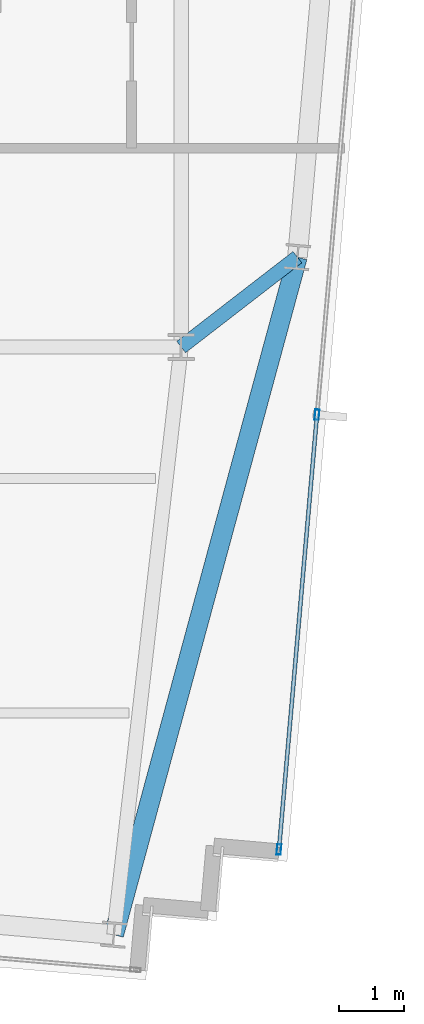
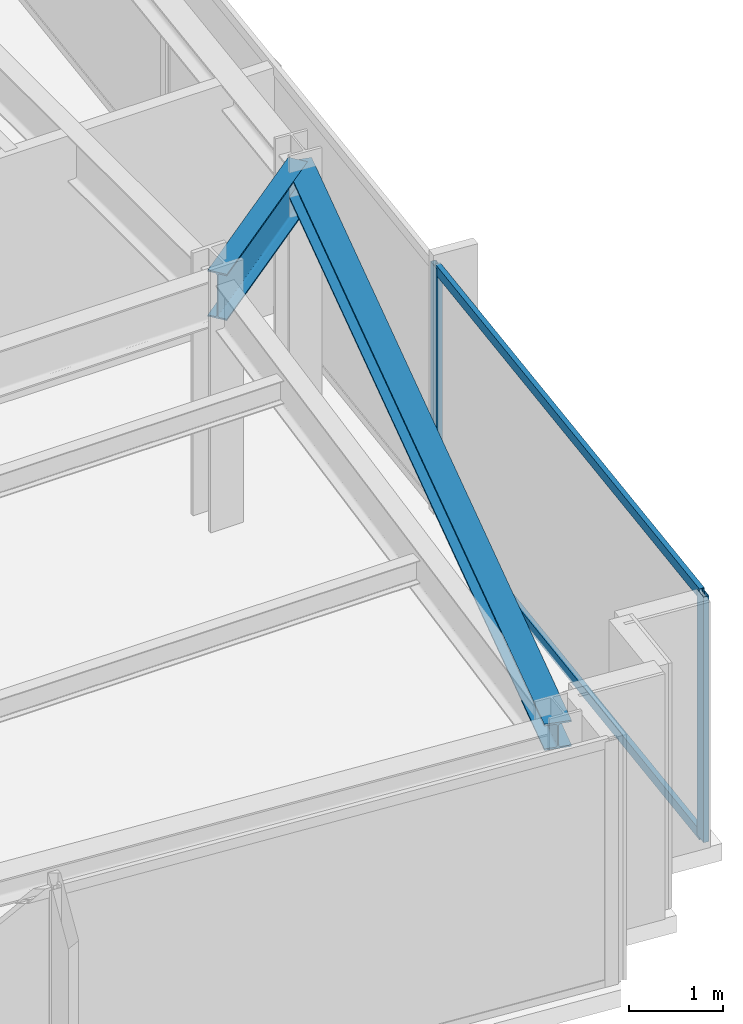
# One storey, part 16 of 32: 4 members, 2 beams, 1 element without a shape of its own.
"""IFC4 building model written with IfcOpenShell, lengths in metres."""

from ifc_helpers import new_model, si_unit, direction, frame, origin, origin_2d, place, context, subcontext, project, spatial, hollow_rectangle, i_section, extrude, material, material_profile, profile_set, type_object, element, aggregate, save


model = new_model("IFC4")

# Units and contexts
model_context = context("Model", 3, precision=1e-05, world=origin(), true_north=direction((0.0, 1.0)))
body_context = subcontext(model_context, "Body", "Model", "MODEL_VIEW")
ifc_project = project(units=[si_unit("LENGTHUNIT", "METRE"), si_unit("AREAUNIT", "SQUARE_METRE"), si_unit("VOLUMEUNIT", "CUBIC_METRE"), si_unit("PLANEANGLEUNIT", "RADIAN"), si_unit("MASSUNIT", "GRAM", prefix="KILO")], contexts=[model_context])

# Site, building, storey
site_placement = place(None, origin())
site = spatial("IfcSite", under=ifc_project, at=site_placement, CompositionType="ELEMENT")
building_placement = place(site_placement, origin())
building = spatial("IfcBuilding", under=site, at=building_placement, Name="Yelkora Congress Tower", CompositionType="ELEMENT")
storey_placement = place(building_placement, frame((0.0, 0.0, 272.699951171875)))
storey = spatial("IfcBuildingStorey", under=building, at=storey_placement, Name="L76", CompositionType="ELEMENT", Elevation=272.699951171875)

# Beams
ifc_material_1 = material(Name="Steel S355J2", Category="steel")
ifc_material_profile_1 = material_profile(ifc_material_1, i_section(OverallWidth=0.219970703125, OverallDepth=0.60009765625, WebThickness=0.011962890625, FlangeThickness=0.01904296875, FilletRadius=0.02392578125, at=origin_2d()), Name="IPE 600")
ifc_profile_set_1 = profile_set([ifc_material_profile_1], Name="Steel S355J2")
beam_type_1 = type_object("IfcBeamType", Name="BM-GIRD-IPE600", PredefinedType="BEAM", material=ifc_profile_set_1)
beam_1_placement = place(storey_placement, frame((55.543701171875, 26.57861328125, 2.880126953125), z_axis=(-0.791208781933, -0.611546125318, 0.0), x_axis=(0.611546125318, -0.791208781933, 0.0)))
element("IfcBeam", 1, at=beam_1_placement, inside=storey, type_object=beam_type_1, Name="L76 Primary Frame Girder E01", PredefinedType="BEAM", context=body_context, shape_type="SweptSolid", body=[
    extrude(i_section(OverallWidth=0.219970703125, OverallDepth=0.60009765625, WebThickness=0.011962890625, FlangeThickness=0.01904296875, FilletRadius=0.02392578125, at=origin_2d()), origin(), (0.0, 0.0, 1.0), 2.25439453125),
])
ifc_material_profile_2 = material_profile(ifc_material_1, i_section(OverallWidth=0.300048828125, OverallDepth=0.340087890625, WebThickness=0.011962890625, FlangeThickness=0.021484375, FilletRadius=0.027099609375, at=origin_2d()), Name="HEB 340")
ifc_profile_set_2 = profile_set([ifc_material_profile_2], Name="Steel S355J2")
beam_type_2 = type_object("IfcBeamType", Name="BM-SPAN-HEB340", PredefinedType="SPANDREL", material=ifc_profile_set_2)
beam_2_placement = place(storey_placement, frame((52.727294921875, 16.1845703125, 3.010009765625), z_axis=(0.261532523212, 0.965194663942, 0.0), x_axis=(-0.965194663942, 0.261532523212, 0.0)))
element("IfcBeam", 2, at=beam_2_placement, inside=storey, type_object=beam_type_2, Name="L76 Perimeter Beam 7", PredefinedType="SPANDREL", context=body_context, shape_type="SweptSolid", body=[
    extrude(i_section(OverallWidth=0.300048828125, OverallDepth=0.340087890625, WebThickness=0.011962890625, FlangeThickness=0.021484375, FilletRadius=0.027099609375, at=origin_2d()), origin(), (0.0, 0.0, 1.0), 10.768798828125),
])

# Curtain wall, members
ifc_material_2 = material(Name="Anodised aluminium and insulated glass", Category="aluminium")
curtain_wall_type = type_object("IfcCurtainWallType", Name="CW-SYS-B5", PredefinedType="NOTDEFINED", material=ifc_material_2)
curtain_wall_placement = place(storey_placement, origin())
curtain_wall = element("IfcCurtainWall", 3, at=curtain_wall_placement, inside=storey, type_object=curtain_wall_type, Name="L76 Unitised Curtain Wall 15", PredefinedType="NOTDEFINED")
ifc_material_3 = material(Name="Anodised aluminium 6063-T6", Category="aluminium")
ifc_material_profile_3 = material_profile(ifc_material_3, hollow_rectangle(XDim=0.06494140625, YDim=0.159912109375, WallThickness=0.00390625, at=origin_2d()), Name="ALU 65x160x4")
ifc_profile_set_3 = profile_set([ifc_material_profile_3], Name="Anodised aluminium 6063-T6")
member_type_1 = type_object("IfcMemberType", Name="MEM-ML-B5", PredefinedType="MULLION", material=ifc_profile_set_3)
member_1_placement = place(storey_placement, frame((55.844482421875, 24.1630859375, 0.0), z_axis=(0.0, 0.0, 1.0), x_axis=(0.996194463398, -0.087158425264, 0.0)))
member_1 = element("IfcMember", 4, at=member_1_placement, type_object=member_type_1, Name="CW-B5 mullion 4", PredefinedType="MULLION", context=body_context, shape_type="SweptSolid", body=[
    extrude(hollow_rectangle(XDim=0.06494140625, YDim=0.159912109375, WallThickness=0.00390625, at=origin_2d()), origin(), (0.0, 0.0, 1.0), 3.179931640625),
])
member_2_placement = place(storey_placement, frame((55.2607421875, 17.4912109375, 0.0), z_axis=(0.0, 0.0, 1.0), x_axis=(0.996194463398, -0.087158425264, 0.0)))
member_2 = element("IfcMember", 5, at=member_2_placement, type_object=member_type_1, Name="CW-B5 mullion 5", PredefinedType="MULLION", context=body_context, shape_type="SweptSolid", body=[
    extrude(hollow_rectangle(XDim=0.06494140625, YDim=0.159912109375, WallThickness=0.00390625, at=origin_2d()), origin(), (0.0, 0.0, 1.0), 3.179931640625),
])
ifc_material_profile_4 = material_profile(ifc_material_3, hollow_rectangle(XDim=0.06005859375, YDim=0.1298828125, WallThickness=0.00390625, at=origin_2d()), Name="ALU 60x130x4")
ifc_profile_set_4 = profile_set([ifc_material_profile_4], Name="Anodised aluminium 6063-T6")
member_type_2 = type_object("IfcMemberType", Name="MEM-TR-B5", PredefinedType="USERDEFINED", material=ifc_profile_set_4)
member_3_placement = place(storey_placement, frame((55.841552734375, 24.130859375, 0.030029296875), z_axis=(-0.087163297365, -0.996194037119, 0.0), x_axis=(0.996194037119, -0.087163297365, 0.0)))
member_3 = element("IfcMember", 6, at=member_3_placement, type_object=member_type_2, Name="CW-B5 transom 4.1", ObjectType="TRANSOM", PredefinedType="USERDEFINED", context=body_context, shape_type="SweptSolid", body=[
    extrude(hollow_rectangle(XDim=0.06005859375, YDim=0.1298828125, WallThickness=0.00390625, at=origin_2d()), origin(), (0.0, 0.0, 1.0), 6.632568359375),
])
member_4_placement = place(storey_placement, frame((55.841552734375, 24.130859375, 3.150146484375), z_axis=(-0.087163297365, -0.996194037119, 0.0), x_axis=(0.996194037119, -0.087163297365, 0.0)))
member_4 = element("IfcMember", 7, at=member_4_placement, type_object=member_type_2, Name="CW-B5 transom 4.2", ObjectType="TRANSOM", PredefinedType="USERDEFINED", context=body_context, shape_type="SweptSolid", body=[
    extrude(hollow_rectangle(XDim=0.06005859375, YDim=0.1298828125, WallThickness=0.00390625, at=origin_2d()), origin(), (0.0, 0.0, 1.0), 6.632568359375),
])
aggregate(curtain_wall, [member_1, member_2, member_3, member_4])

save(model, "model.ifc")
